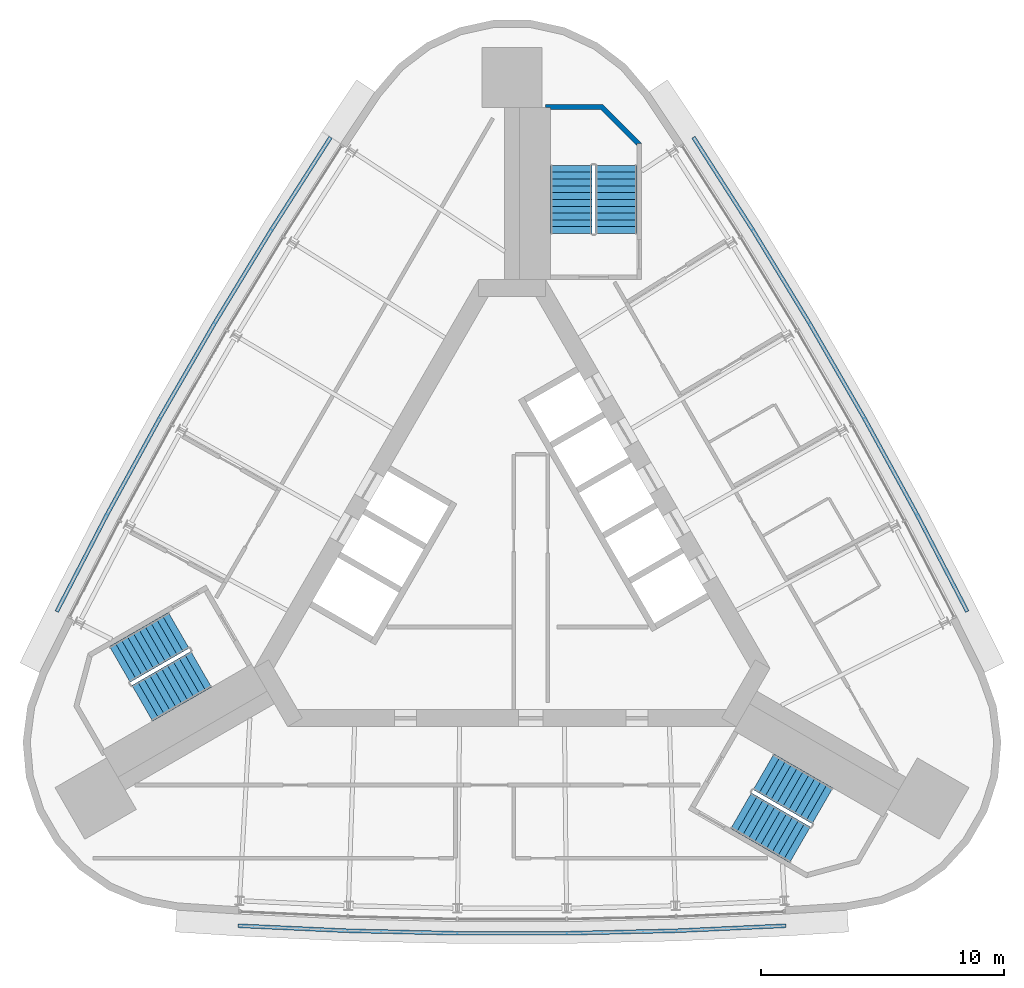
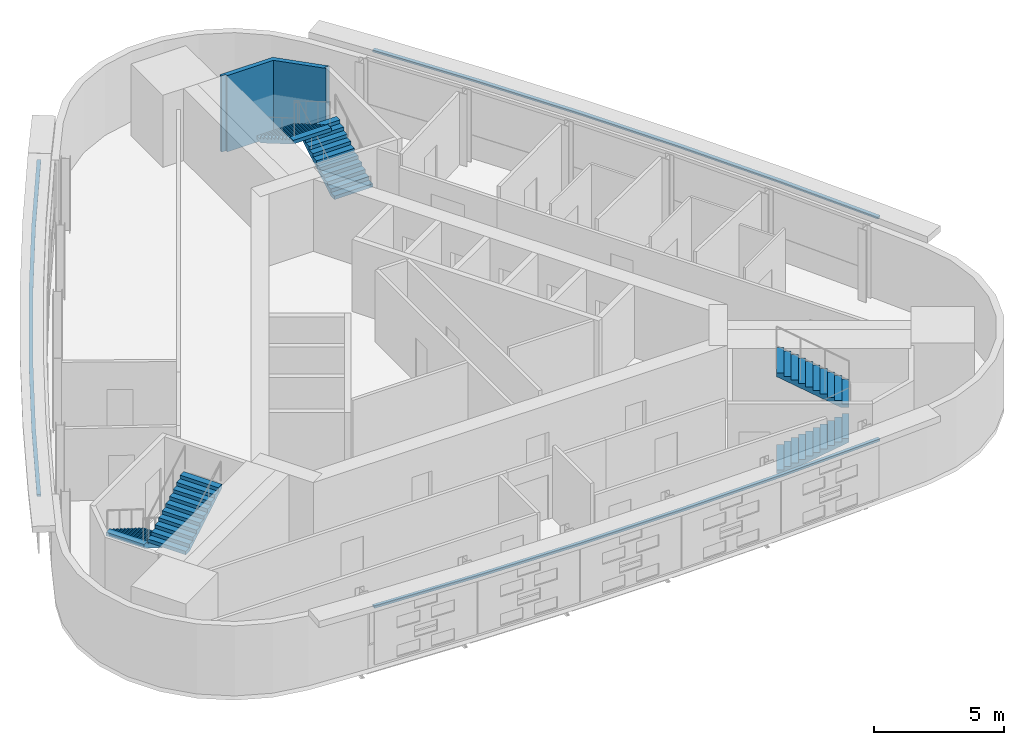
# One storey, part 8 of 10: 6 stair flights, 3 discrete accessories, 1 wall, 3 elements without a shape of their own.
"""IFC4 building model written with IfcOpenShell, lengths in metres."""

import ifcopenshell
import ifcopenshell.guid

model = None  # the IFC model being written
_history = None  # IfcOwnerHistory: only IFC2X3 demands one
_inside = {}  # id of a spatial element -> (the spatial element, [elements in it])
_under = {}  # id of a project, library or spatial element -> (it, [spatial elements below it])
_declared = {}  # id of a project -> (the project, [libraries it declares])
_typed = {}  # id of a type object -> (the type object, [elements of that type])
_made_of = {}  # id of a material, layer set ... -> (it, [elements and type objects made of it])


def new_model(schema):
    """Start an empty IFC model of exactly this schema.

    Asked for "IFC4X3", IfcOpenShell would pick the latest addendum, in which some entities
    have other attributes; the version numbers below select the first issue.
    IFC2X3 requires an IfcOwnerHistory on every rooted entity: one is made here for all.
    """
    global model, _history
    if schema == "IFC4X3":
        model = ifcopenshell.file(schema_version=(4, 3, 0, 0))
    else:
        model = ifcopenshell.file(schema=schema)
    _inside.clear()
    _under.clear()
    _declared.clear()
    _typed.clear()
    _made_of.clear()
    _history = None
    if model.schema == "IFC2X3":
        org = make("IfcOrganization", Name="unknown")
        user = make(
            "IfcPersonAndOrganization",
            ThePerson=make("IfcPerson", FamilyName="unknown"),
            TheOrganization=org,
        )
        app = make(
            "IfcApplication",
            ApplicationDeveloper=org,
            Version="unknown",
            ApplicationFullName="unknown",
            ApplicationIdentifier="unknown",
        )
        _history = make(
            "IfcOwnerHistory",
            OwningUser=user,
            OwningApplication=app,
            ChangeAction="ADDED",
            CreationDate=0,
        )
    return model


def make(cls, **values):
    """One entity of the class cls with the attributes given. An attribute that is None is left unset."""
    return model.create_entity(
        cls, **{name: value for name, value in values.items() if value is not None}
    )


def rooted(cls, **values):
    """An entity with a GlobalId (a new one), such as an element, a storey or a relation."""
    return make(cls, GlobalId=ifcopenshell.guid.new(), OwnerHistory=_history, **values)


def si_unit(unit_type, name, prefix=None):
    """IfcSIUnit, for example si_unit("LENGTHUNIT", "METRE", prefix="MILLI")."""
    return make("IfcSIUnit", UnitType=unit_type, Prefix=prefix, Name=name)


def assignment(units):
    """IfcUnitAssignment: the units of a project."""
    return None if units is None else make("IfcUnitAssignment", Units=units)


def point(xyz):
    """IfcCartesianPoint."""
    return None if xyz is None else make("IfcCartesianPoint", Coordinates=xyz)


def direction(xyz):
    """IfcDirection."""
    return None if xyz is None else make("IfcDirection", DirectionRatios=xyz)


def frame(location, z_axis=None, x_axis=None):
    """IfcAxis2Placement3D, a coordinate frame: its origin and axes. An axis left out is left unset."""
    return make(
        "IfcAxis2Placement3D",
        Location=point(location),
        Axis=direction(z_axis),
        RefDirection=direction(x_axis),
    )


def origin():
    """The frame at (0, 0, 0) with its axes left unset."""
    return frame((0.0, 0.0, 0.0))


def place(relative_to, where):
    """IfcLocalPlacement: puts the frame where relative to a parent placement (None: the world)."""
    return make(
        "IfcLocalPlacement", PlacementRelTo=relative_to, RelativePlacement=where
    )


def context(
    kind, dimensions, precision=None, world=None, true_north=None, identifier=None
):
    """IfcGeometricRepresentationContext, for example the 3D "Model" context."""
    return make(
        "IfcGeometricRepresentationContext",
        ContextIdentifier=identifier,
        ContextType=kind,
        CoordinateSpaceDimension=dimensions,
        Precision=precision,
        WorldCoordinateSystem=world,
        TrueNorth=true_north,
    )


def subcontext(parent, identifier, kind, view, scale=None):
    """IfcGeometricRepresentationSubContext, for example "Body" below "Model"."""
    return make(
        "IfcGeometricRepresentationSubContext",
        ContextIdentifier=identifier,
        ContextType=kind,
        ParentContext=parent,
        TargetScale=scale,
        TargetView=view,
    )


def project(units=None, contexts=None):
    """IfcProject with its units and contexts."""
    return rooted(
        "IfcProject",
        Name="project",
        RepresentationContexts=contexts,
        UnitsInContext=assignment(units),
    )


def spatial(cls, under=None, at=None, **own):
    """A site, building, storey or space (cls), placed at a placement, below another one or the project."""
    s = rooted(cls, ObjectPlacement=at, **own)
    if under is not None:
        _under.setdefault(under.id(), (under, []))[1].append(s)
    return s


def polyline(points):
    """IfcPolyline through the points."""
    return make("IfcPolyline", Points=[point(p) for p in points])


def outline(outer, holes=None, kind="AREA"):
    """IfcArbitraryClosedProfileDef: a profile drawn as a closed curve; with holes, ...WithVoids."""
    if holes is None:
        return make("IfcArbitraryClosedProfileDef", ProfileType=kind, OuterCurve=outer)
    return make(
        "IfcArbitraryProfileDefWithVoids",
        ProfileType=kind,
        OuterCurve=outer,
        InnerCurves=holes,
    )


def extrude(swept, where, along, depth):
    """IfcExtrudedAreaSolid: the profile swept, set in the frame where, extruded along a direction by depth."""
    return make(
        "IfcExtrudedAreaSolid",
        SweptArea=swept,
        Position=where,
        ExtrudedDirection=direction(along),
        Depth=depth,
    )


def shape(context_of_items, identifier, shape_type, items):
    """IfcShapeRepresentation: the items that make up one representation, for example the "Body"."""
    return make(
        "IfcShapeRepresentation",
        ContextOfItems=context_of_items,
        RepresentationIdentifier=identifier,
        RepresentationType=shape_type,
        Items=items,
    )


def material(Name=None, Category=None):
    """IfcMaterial."""
    return make("IfcMaterial", Name=Name, Category=Category)


def made_of(thing, what):
    """Note that an element or type object is made of a material, layer set ...; save() writes the relation."""
    if what is not None:
        _made_of.setdefault(what.id(), (what, []))[1].append(thing)
    return thing


def type_object(cls, material=None, **own):
    """A type object (cls), such as IfcWallType, which elements share."""
    return made_of(rooted(cls, **own), material)


def element(
    cls,
    number,
    at=None,
    inside=None,
    cuts=None,
    type_object=None,
    material=None,
    context=None,
    identifier="Body",
    shape_type=None,
    held_by="IfcProductDefinitionShape",
    body=None,
    shapes=None,
    **own,
):
    """One element of the class cls, such as IfcWall. Its Tag is "e" and its number.

    at: its placement. inside: the storey or other place that contains it. cuts: it is an
    opening in that element (IfcRelVoidsElement). A single representation is given by context,
    identifier, shape_type and body (its items); several are given by shapes. held_by: the class
    of the entity that holds the representations. save() writes the other relations.
    """
    e = rooted(cls, Tag="e%d" % number, ObjectPlacement=at, **own)
    if body is not None:
        shapes = [shape(context, identifier, shape_type, body)]
    if shapes is not None:
        e.Representation = make(held_by, Representations=shapes)
    if inside is not None:
        _inside.setdefault(inside.id(), (inside, []))[1].append(e)
    if cuts is not None:
        rooted(
            "IfcRelVoidsElement", RelatingBuildingElement=cuts, RelatedOpeningElement=e
        )
    if type_object is not None:
        _typed.setdefault(type_object.id(), (type_object, []))[1].append(e)
    return made_of(e, material)


def aggregate(whole, parts):
    """IfcRelAggregates: a whole, such as a stair, and the parts it consists of."""
    return rooted("IfcRelAggregates", RelatingObject=whole, RelatedObjects=parts)


def save(model, path):
    """Write the relations noted so far, then the file.

    IfcRelAggregates (storeys below a building ...), IfcRelContainedInSpatialStructure (elements
    in a storey), IfcRelDefinesByType, IfcRelAssociatesMaterial and IfcRelDeclares: one each for
    every whole, place, type object, material and project.
    """
    for whole, parts in _under.values():
        aggregate(whole, parts)
    for where, things in _inside.values():
        rooted(
            "IfcRelContainedInSpatialStructure",
            RelatedElements=things,
            RelatingStructure=where,
        )
    for kind, things in _typed.values():
        rooted("IfcRelDefinesByType", RelatedObjects=things, RelatingType=kind)
    for what, things in _made_of.values():
        rooted("IfcRelAssociatesMaterial", RelatedObjects=things, RelatingMaterial=what)
    for by, libraries in _declared.values():
        rooted("IfcRelDeclares", RelatingContext=by, RelatedDefinitions=libraries)
    model.write(path)


model = new_model("IFC4")

# Units and contexts
model_context = context("Model", 3, precision=1e-05, world=origin(), true_north=direction((0.0, 1.0)))
body_context = subcontext(model_context, "Body", "Model", "MODEL_VIEW")
ifc_project = project(units=[si_unit("LENGTHUNIT", "METRE"), si_unit("AREAUNIT", "SQUARE_METRE"), si_unit("VOLUMEUNIT", "CUBIC_METRE"), si_unit("PLANEANGLEUNIT", "RADIAN"), si_unit("MASSUNIT", "GRAM", prefix="KILO")], contexts=[model_context])

# Site, building, storey
site_placement = place(None, origin())
site = spatial("IfcSite", under=ifc_project, at=site_placement, CompositionType="ELEMENT")
building_placement = place(site_placement, origin())
building = spatial("IfcBuilding", under=site, at=building_placement, Name="Noor Cloister Tower", CompositionType="ELEMENT")
storey_placement = place(building_placement, frame((0.0, 0.0, 243.60009765625)))
storey = spatial("IfcBuildingStorey", under=building, at=storey_placement, Name="L63", CompositionType="ELEMENT", Elevation=243.60009765625)

# Wall
ifc_material_1 = material(Name="Concrete C60/75", Category="concrete")
wall_type = type_object("IfcWallType", Name="Stair far end wall C60/75", PredefinedType="SHEAR", material=ifc_material_1)
wall_placement = place(storey_placement, frame((0.0, 0.0, -0.2001953125)))
element("IfcWall", 1, at=wall_placement, inside=storey, type_object=wall_type, Name="Stair enclosure wall ST1 L63 far end", PredefinedType="SHEAR", context=body_context, shape_type="SweptSolid", body=[
    extrude(outline(polyline([(5.335693359375, 17.056396484375), (3.735595703125, 18.656494140625), (1.385498046875, 18.656494140625), (1.385498046875, 18.550048828125), (1.585693359375, 18.550048828125), (1.585693359375, 18.550048828125), (1.585693359375, 18.550048828125), (1.585693359375, 18.550048828125), (1.585693359375, 18.550048828125), (1.585693359375, 18.550048828125), (1.585693359375, 18.550048828125), (1.585693359375, 18.550048828125), (1.585693359375, 18.550048828125), (1.585693359375, 18.550048828125), (1.585693359375, 18.550048828125), (1.585693359375, 18.550048828125), (1.585693359375, 18.550048828125), (1.585693359375, 18.550048828125), (1.585693359375, 18.550048828125), (1.585693359375, 18.550048828125), (1.585693359375, 18.550048828125), (1.585693359375, 18.456298828125), (3.65283203125, 18.456298828125), (5.135498046875, 16.9736328125), (5.135498046875, 17.056396484375), (5.135498046875, 17.056396484375), (5.135498046875, 17.056396484375), (5.135498046875, 17.056396484375), (5.135498046875, 17.056396484375), (5.135498046875, 17.056396484375), (5.135498046875, 17.056396484375), (5.135498046875, 17.056396484375), (5.135498046875, 17.056396484375), (5.135498046875, 17.056396484375), (5.135498046875, 17.056396484375), (5.135498046875, 17.056396484375), (5.135498046875, 17.056396484375), (5.135498046875, 17.056396484375), (5.135498046875, 17.056396484375), (5.135498046875, 17.056396484375), (5.135498046875, 17.056396484375), (5.335693359375, 17.056396484375)])), origin(), (0.0, 0.0, 1.0), 3.60009765625),
])

# Stair, stair flights
ifc_material_2 = material(Name="Concrete C40/50", Category="concrete")
stair_type = type_object("IfcStairType", Name="Exit stair 22 risers", PredefinedType="HALF_TURN_STAIR", material=ifc_material_2)
stair_1_placement = place(storey_placement, origin())
stair_1 = element("IfcStair", 2, at=stair_1_placement, inside=storey, type_object=stair_type, Name="Exit stair ST1 L63", PredefinedType="HALF_TURN_STAIR")
ifc_material_3 = material(Name="Concrete C40/50", Category="concrete")
stair_flight_type = type_object("IfcStairFlightType", Name="Exit stair flight", PredefinedType="STRAIGHT", material=ifc_material_3)
stair_flight_1_placement = place(storey_placement, frame((4.28564453125, 13.3564453125, 0.0), z_axis=(0.0, 0.0, 1.0), x_axis=(0.0, 1.0, 0.0)))
stair_flight_1 = element("IfcStairFlight", 3, at=stair_flight_1_placement, type_object=stair_flight_type, Name="ST1 flight 1", NumberOfRisers=11, NumberOfTreads=10, PredefinedType="STRAIGHT", RiserHeight=0.163636364, TreadLength=0.28, context=body_context, shape_type="SweptSolid", body=[
    extrude(outline(polyline([(0.0, 0.0), (0.0, 0.16357421875), (0.280029296875, 0.16357421875), (0.280029296875, 0.327392578125), (0.56005859375, 0.327392578125), (0.56005859375, 0.490966796875), (0.840087890625, 0.490966796875), (0.840087890625, 0.654541015625), (1.1201171875, 0.654541015625), (1.1201171875, 0.818115234375), (1.39990234375, 0.818115234375), (1.39990234375, 0.98193359375), (1.679931640625, 0.98193359375), (1.679931640625, 1.1455078125), (1.9599609375, 1.1455078125), (1.9599609375, 1.30908203125), (2.239990234375, 1.30908203125), (2.239990234375, 1.47265625), (2.52001953125, 1.47265625), (2.52001953125, 1.636474609375), (2.800048828125, 1.636474609375), (2.800048828125, 1.800048828125), (2.800048828125, 1.462646484375), (0.297119140625, 0.0), (0.0, 0.0)])), frame((0.0, 0.85009765625, 0.0), z_axis=(0.0, -1.0, 0.0), x_axis=(1.0, 0.0, 0.0)), (0.0, 0.0, 1.0), 1.699951171875),
])
stair_flight_2_placement = place(storey_placement, frame((2.435546875, 16.156494140625, 1.7998046875), z_axis=(0.0, 0.0, 1.0), x_axis=(0.0, -1.0, 0.0)))
stair_flight_2 = element("IfcStairFlight", 4, at=stair_flight_2_placement, type_object=stair_flight_type, Name="ST1 flight 2", NumberOfRisers=11, NumberOfTreads=10, PredefinedType="STRAIGHT", RiserHeight=0.163636364, TreadLength=0.28, context=body_context, shape_type="SweptSolid", body=[
    extrude(outline(polyline([(0.0, 0.0), (0.0, 0.16357421875), (0.280029296875, 0.16357421875), (0.280029296875, 0.327392578125), (0.56005859375, 0.327392578125), (0.56005859375, 0.490966796875), (0.840087890625, 0.490966796875), (0.840087890625, 0.654541015625), (1.1201171875, 0.654541015625), (1.1201171875, 0.818115234375), (1.39990234375, 0.818115234375), (1.39990234375, 0.98193359375), (1.679931640625, 0.98193359375), (1.679931640625, 1.1455078125), (1.9599609375, 1.1455078125), (1.9599609375, 1.30908203125), (2.239990234375, 1.30908203125), (2.239990234375, 1.47265625), (2.52001953125, 1.47265625), (2.52001953125, 1.636474609375), (2.800048828125, 1.636474609375), (2.800048828125, 1.800048828125), (2.800048828125, 1.462646484375), (0.297119140625, 0.0), (0.0, 0.0)])), frame((0.0, 0.85009765625, 0.0), z_axis=(0.0, -1.0, 0.0), x_axis=(1.0, 0.0, 0.0)), (0.0, 0.0, 1.0), 1.699951171875),
])
aggregate(stair_1, [stair_flight_1, stair_flight_2])

stair_2_placement = place(storey_placement, origin())
stair_2 = element("IfcStair", 5, at=stair_2_placement, inside=storey, type_object=stair_type, Name="Exit stair ST2 L63", PredefinedType="HALF_TURN_STAIR")
stair_flight_3_placement = place(storey_placement, frame((-13.709716796875, -2.966796875, 0.0), z_axis=(0.0, 0.0, 1.0), x_axis=(-0.866025403784, -0.5, 0.0)))
stair_flight_3 = element("IfcStairFlight", 6, at=stair_flight_3_placement, type_object=stair_flight_type, Name="ST2 flight 1", NumberOfRisers=11, NumberOfTreads=10, PredefinedType="STRAIGHT", RiserHeight=0.163636364, TreadLength=0.28, context=body_context, shape_type="SweptSolid", body=[
    extrude(outline(polyline([(0.0, 0.0), (0.0, 0.16357421875), (0.280029296875, 0.16357421875), (0.280029296875, 0.327392578125), (0.56005859375, 0.327392578125), (0.56005859375, 0.490966796875), (0.840087890625, 0.490966796875), (0.840087890625, 0.654541015625), (1.1201171875, 0.654541015625), (1.1201171875, 0.818115234375), (1.39990234375, 0.818115234375), (1.39990234375, 0.98193359375), (1.679931640625, 0.98193359375), (1.679931640625, 1.1455078125), (1.9599609375, 1.1455078125), (1.9599609375, 1.30908203125), (2.239990234375, 1.30908203125), (2.239990234375, 1.47265625), (2.52001953125, 1.47265625), (2.52001953125, 1.636474609375), (2.800048828125, 1.636474609375), (2.800048828125, 1.800048828125), (2.800048828125, 1.462646484375), (0.297119140625, 0.0), (0.0, 0.0)])), frame((0.0, 0.85009765625, 0.0), z_axis=(0.0, -1.0, 0.0), x_axis=(1.0, 0.0, 0.0)), (0.0, 0.0, 1.0), 1.699951171875),
])
stair_flight_4_placement = place(storey_placement, frame((-15.209716796875, -5.968994140625, 1.7998046875), z_axis=(0.0, 0.0, 1.0), x_axis=(0.866025403784, 0.5, 0.0)))
stair_flight_4 = element("IfcStairFlight", 7, at=stair_flight_4_placement, type_object=stair_flight_type, Name="ST2 flight 2", NumberOfRisers=11, NumberOfTreads=10, PredefinedType="STRAIGHT", RiserHeight=0.163636364, TreadLength=0.28, context=body_context, shape_type="SweptSolid", body=[
    extrude(outline(polyline([(0.0, 0.0), (0.0, 0.16357421875), (0.280029296875, 0.16357421875), (0.280029296875, 0.327392578125), (0.56005859375, 0.327392578125), (0.56005859375, 0.490966796875), (0.840087890625, 0.490966796875), (0.840087890625, 0.654541015625), (1.1201171875, 0.654541015625), (1.1201171875, 0.818115234375), (1.39990234375, 0.818115234375), (1.39990234375, 0.98193359375), (1.679931640625, 0.98193359375), (1.679931640625, 1.1455078125), (1.9599609375, 1.1455078125), (1.9599609375, 1.30908203125), (2.239990234375, 1.30908203125), (2.239990234375, 1.47265625), (2.52001953125, 1.47265625), (2.52001953125, 1.636474609375), (2.800048828125, 1.636474609375), (2.800048828125, 1.800048828125), (2.800048828125, 1.462646484375), (0.297119140625, 0.0), (0.0, 0.0)])), frame((0.0, 0.85009765625, 0.0), z_axis=(0.0, -1.0, 0.0), x_axis=(1.0, 0.0, 0.0)), (0.0, 0.0, 1.0), 1.699951171875),
])
aggregate(stair_2, [stair_flight_3, stair_flight_4])

stair_3_placement = place(storey_placement, origin())
stair_3 = element("IfcStair", 8, at=stair_3_placement, inside=storey, type_object=stair_type, Name="Exit stair ST3 L63", PredefinedType="HALF_TURN_STAIR")
stair_flight_5_placement = place(storey_placement, frame((9.424072265625, -10.3896484375, 0.0), z_axis=(0.0, 0.0, 1.0), x_axis=(0.866025403784, -0.5, 0.0)))
stair_flight_5 = element("IfcStairFlight", 9, at=stair_flight_5_placement, type_object=stair_flight_type, Name="ST3 flight 1", NumberOfRisers=11, NumberOfTreads=10, PredefinedType="STRAIGHT", RiserHeight=0.163636364, TreadLength=0.28, context=body_context, shape_type="SweptSolid", body=[
    extrude(outline(polyline([(0.0, 0.0), (0.0, 0.16357421875), (0.280029296875, 0.16357421875), (0.280029296875, 0.327392578125), (0.56005859375, 0.327392578125), (0.56005859375, 0.490966796875), (0.840087890625, 0.490966796875), (0.840087890625, 0.654541015625), (1.1201171875, 0.654541015625), (1.1201171875, 0.818115234375), (1.39990234375, 0.818115234375), (1.39990234375, 0.98193359375), (1.679931640625, 0.98193359375), (1.679931640625, 1.1455078125), (1.9599609375, 1.1455078125), (1.9599609375, 1.30908203125), (2.239990234375, 1.30908203125), (2.239990234375, 1.47265625), (2.52001953125, 1.47265625), (2.52001953125, 1.636474609375), (2.800048828125, 1.636474609375), (2.800048828125, 1.800048828125), (2.800048828125, 1.462646484375), (0.297119140625, 0.0), (0.0, 0.0)])), frame((0.0, 0.85009765625, 0.0), z_axis=(0.0, -1.0, 0.0), x_axis=(1.0, 0.0, 0.0)), (0.0, 0.0, 1.0), 1.699951171875),
])
stair_flight_6_placement = place(storey_placement, frame((12.77392578125, -10.1875, 1.7998046875), z_axis=(0.0, 0.0, 1.0), x_axis=(-0.866025403784, 0.5, 0.0)))
stair_flight_6 = element("IfcStairFlight", 10, at=stair_flight_6_placement, type_object=stair_flight_type, Name="ST3 flight 2", NumberOfRisers=11, NumberOfTreads=10, PredefinedType="STRAIGHT", RiserHeight=0.163636364, TreadLength=0.28, context=body_context, shape_type="SweptSolid", body=[
    extrude(outline(polyline([(0.0, 0.0), (0.0, 0.16357421875), (0.280029296875, 0.16357421875), (0.280029296875, 0.327392578125), (0.56005859375, 0.327392578125), (0.56005859375, 0.490966796875), (0.840087890625, 0.490966796875), (0.840087890625, 0.654541015625), (1.1201171875, 0.654541015625), (1.1201171875, 0.818115234375), (1.39990234375, 0.818115234375), (1.39990234375, 0.98193359375), (1.679931640625, 0.98193359375), (1.679931640625, 1.1455078125), (1.9599609375, 1.1455078125), (1.9599609375, 1.30908203125), (2.239990234375, 1.30908203125), (2.239990234375, 1.47265625), (2.52001953125, 1.47265625), (2.52001953125, 1.636474609375), (2.800048828125, 1.636474609375), (2.800048828125, 1.800048828125), (2.800048828125, 1.462646484375), (0.297119140625, 0.0), (0.0, 0.0)])), frame((0.0, 0.85009765625, 0.0), z_axis=(0.0, -1.0, 0.0), x_axis=(1.0, 0.0, 0.0)), (0.0, 0.0, 1.0), 1.699951171875),
])
aggregate(stair_3, [stair_flight_5, stair_flight_6])

# Discrete accessories
ifc_material_4 = material(Name="Stainless steel grade 316", Category="steel")
discrete_accessory_type = type_object("IfcDiscreteAccessoryType", Name="Stainless hanger rail", PredefinedType="BRACKET", material=ifc_material_4)
discrete_accessory_1_placement = place(storey_placement, frame((0.0, 0.0, 3.199951171875)))
element("IfcDiscreteAccessory", 11, at=discrete_accessory_1_placement, inside=storey, type_object=discrete_accessory_type, Name="Hanger rail L63", PredefinedType="BRACKET", context=body_context, shape_type="SweptSolid", body=[
    extrude(outline(polyline([(-7.52880859375, 17.359619140625), (-9.95849609375, 13.564453125), (-12.303955078125, 9.708984375), (-14.560302734375, 5.801025390625), (-16.726318359375, 1.842041015625), (-18.79833984375, -2.15966796875), (-18.65625, -2.233154296875), (-16.585205078125, 1.766845703125), (-14.420654296875, 5.722412109375), (-12.166259765625, 9.62744140625), (-9.82275390625, 13.479736328125), (-7.39404296875, 17.2734375), (-7.52880859375, 17.359619140625)])), origin(), (0.0, 0.0, 1.0), 0.099853515625),
])
discrete_accessory_2_placement = place(storey_placement, frame((0.0, 0.0, 3.199951171875)))
element("IfcDiscreteAccessory", 12, at=discrete_accessory_2_placement, inside=storey, type_object=discrete_accessory_type, Name="Hanger rail L63", PredefinedType="BRACKET", context=body_context, shape_type="SweptSolid", body=[
    extrude(outline(polyline([(-11.26953125, -15.199951171875), (-6.767822265625, -15.406494140625), (-2.25634765625, -15.510009765625), (2.25634765625, -15.510009765625), (6.767822265625, -15.406494140625), (11.26953125, -15.199951171875), (11.26220703125, -15.0400390625), (6.762451171875, -15.24658203125), (2.254638671875, -15.35009765625), (-2.254638671875, -15.35009765625), (-6.762451171875, -15.24658203125), (-11.26220703125, -15.0400390625), (-11.26953125, -15.199951171875)])), origin(), (0.0, 0.0, 1.0), 0.099853515625),
])
discrete_accessory_3_placement = place(storey_placement, frame((0.0, 0.0, 3.199951171875)))
element("IfcDiscreteAccessory", 13, at=discrete_accessory_3_placement, inside=storey, type_object=discrete_accessory_type, Name="Hanger rail L63", PredefinedType="BRACKET", context=body_context, shape_type="SweptSolid", body=[
    extrude(outline(polyline([(18.79833984375, -2.15966796875), (16.726318359375, 1.842041015625), (14.560302734375, 5.801025390625), (12.303955078125, 9.708984375), (9.95849609375, 13.564453125), (7.52880859375, 17.359619140625), (7.39404296875, 17.2734375), (9.82275390625, 13.479736328125), (12.166259765625, 9.62744140625), (14.420654296875, 5.722412109375), (16.585205078125, 1.766845703125), (18.65625, -2.233154296875), (18.79833984375, -2.15966796875)])), origin(), (0.0, 0.0, 1.0), 0.099853515625),
])

save(model, "model.ifc")
